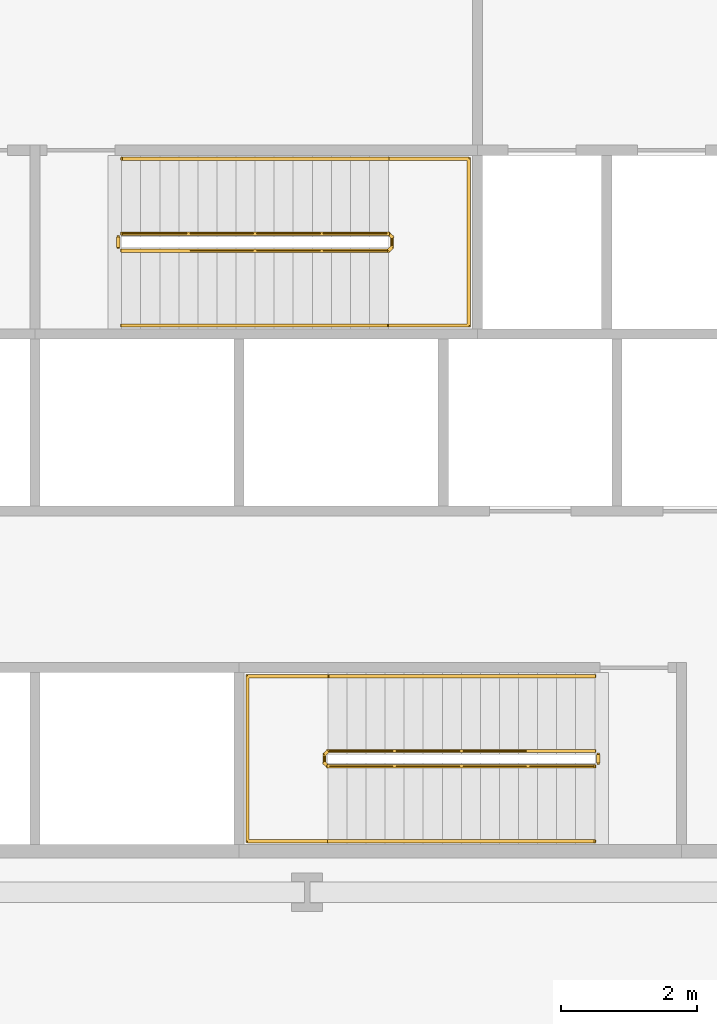
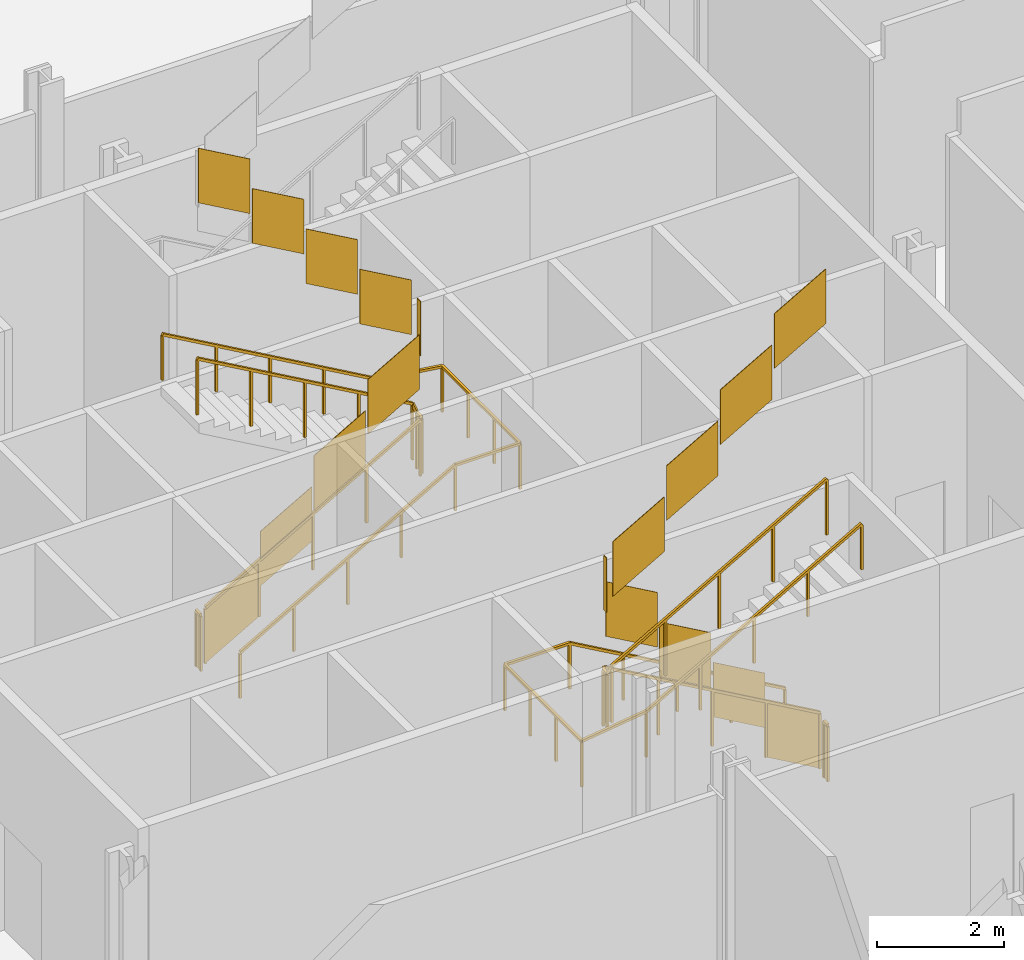
# One storey, part 21 of 25: 6 railings.
"""IFC4 building model written with IfcOpenShell, lengths in metres."""

from ifc_helpers import new_model, si_unit, direction, frame, origin, origin_2d, place, context, subcontext, project, spatial, polyline, rectangle, outline, extrude, material, type_object, element, save


model = new_model("IFC4")

# Units and contexts
model_context = context("Model", 3, precision=1e-05, world=origin(), true_north=direction((0.0, 1.0)))
body_context = subcontext(model_context, "Body", "Model", "MODEL_VIEW")
ifc_project = project(units=[si_unit("LENGTHUNIT", "METRE"), si_unit("AREAUNIT", "SQUARE_METRE"), si_unit("VOLUMEUNIT", "CUBIC_METRE"), si_unit("PLANEANGLEUNIT", "RADIAN"), si_unit("MASSUNIT", "GRAM", prefix="KILO")], contexts=[model_context])

# Site, building, storey
site_placement = place(None, origin())
site = spatial("IfcSite", under=ifc_project, at=site_placement, CompositionType="ELEMENT")
building_placement = place(site_placement, origin())
building = spatial("IfcBuilding", under=site, at=building_placement, Name="Cairn Pilgrim Tower", CompositionType="ELEMENT")
storey_placement = place(building_placement, frame((0.0, 0.0, 30.60009765625)))
storey = spatial("IfcBuildingStorey", under=building, at=storey_placement, Name="L05", CompositionType="ELEMENT", Elevation=30.60009765625)

# Railings
ifc_material = material(Name="Painted steel", Category="steel")
railing_type_1 = type_object("IfcRailingType", Name="STAIR GUARD 1100", PredefinedType="GUARDRAIL", material=ifc_material)
railing_1_placement = place(storey_placement, frame((11.425048828125, -3.925048828125, 0.159912109375)))
element("IfcRailing", 1, at=railing_1_placement, inside=storey, type_object=railing_type_1, Name="L05 ST-A stair guard 1", PredefinedType="GUARDRAIL", context=body_context, shape_type="SweptSolid", body=[
    extrude(rectangle(XDim=0.048095703125, YDim=0.048095703125, at=origin_2d()), frame((0.0, 0.0, 1.076171875), z_axis=(-0.86825312469, 0.0, 0.496121468458), x_axis=(0.0, -1.0, 0.0)), (0.0, 0.0, 1.0), 4.514892578125),
    extrude(rectangle(XDim=0.048095703125, YDim=0.048095703125, at=origin_2d()), frame((-3.920166015625, 0.0, 3.31591796875), z_axis=(-0.705375805398, -0.708833529934, 0.0), x_axis=(0.708833529934, -0.705375805398, 0.0)), (0.0, 0.0, 1.0), 0.070556640625),
    extrude(rectangle(XDim=0.048095703125, YDim=0.048095703125, at=origin_2d()), frame((-3.969970703125, -0.050048828125, 3.31591796875), z_axis=(0.0, -1.0, 0.0), x_axis=(1.0, 0.0, 0.0)), (0.0, 0.0, 1.0), 0.125),
    extrude(rectangle(XDim=0.048095703125, YDim=0.048095703125, at=origin_2d()), frame((-3.969970703125, -0.175048828125, 3.31591796875), z_axis=(0.285027140974, -0.285027140974, 0.915160673224), x_axis=(0.707106781187, 0.707106781187, 0.0)), (0.0, 0.0, 1.0), 0.1748046875),
    extrude(rectangle(XDim=0.048095703125, YDim=0.048095703125, at=origin_2d()), frame((-3.920166015625, -0.224853515625, 3.47607421875), z_axis=(0.86825312469, 0.0, 0.496121468458), x_axis=(0.0, 1.0, 0.0)), (0.0, 0.0, 1.0), 4.514892578125),
    extrude(rectangle(XDim=0.0419921875, YDim=0.0419921875, at=origin_2d()), origin(), (0.0, 0.0, 1.0), 1.052001953125),
    extrude(rectangle(XDim=0.0419921875, YDim=0.0419921875, at=origin_2d()), frame((-0.97998046875, 0.0, 0.56005859375)), (0.0, 0.0, 1.0), 1.052001953125),
    extrude(rectangle(XDim=0.0419921875, YDim=0.0419921875, at=origin_2d()), frame((-1.9599609375, 0.0, 1.1201171875)), (0.0, 0.0, 1.0), 1.052001953125),
    extrude(rectangle(XDim=0.0419921875, YDim=0.0419921875, at=origin_2d()), frame((-2.940185546875, 0.0, 1.679931640625)), (0.0, 0.0, 1.0), 1.052001953125),
    extrude(rectangle(XDim=0.0419921875, YDim=0.0419921875, at=origin_2d()), frame((-3.920166015625, 0.0, 2.239990234375)), (0.0, 0.0, 1.0), 1.052001953125),
    extrude(rectangle(XDim=0.0419921875, YDim=0.0419921875, at=origin_2d()), frame((-3.969970703125, -0.050048828125, 2.239990234375)), (0.0, 0.0, 1.0), 1.052001953125),
    extrude(rectangle(XDim=0.0419921875, YDim=0.0419921875, at=origin_2d()), frame((-3.969970703125, -0.175048828125, 2.239990234375)), (0.0, 0.0, 1.0), 1.052001953125),
    extrude(rectangle(XDim=0.0419921875, YDim=0.0419921875, at=origin_2d()), frame((-3.920166015625, -0.224853515625, 2.39990234375)), (0.0, 0.0, 1.0), 1.052001953125),
    extrude(rectangle(XDim=0.0419921875, YDim=0.0419921875, at=origin_2d()), frame((-2.940185546875, -0.224853515625, 2.9599609375)), (0.0, 0.0, 1.0), 1.052001953125),
    extrude(rectangle(XDim=0.0419921875, YDim=0.0419921875, at=origin_2d()), frame((-1.9599609375, -0.224853515625, 3.52001953125)), (0.0, 0.0, 1.0), 1.052001953125),
    extrude(rectangle(XDim=0.0419921875, YDim=0.0419921875, at=origin_2d()), frame((-0.97998046875, -0.224853515625, 4.079833984375)), (0.0, 0.0, 1.0), 1.052001953125),
    extrude(rectangle(XDim=0.0419921875, YDim=0.0419921875, at=origin_2d()), frame((0.0, -0.224853515625, 4.639892578125)), (0.0, 0.0, 1.0), 1.052001953125),
    extrude(outline(polyline([(0.02099609375, 0.011962890625), (0.958984375, 0.548095703125), (0.958984375, 1.60009765625), (0.02099609375, 1.06396484375), (0.02099609375, 0.011962890625)])), frame((0.0, -0.005859375, 0.0), z_axis=(0.0, 1.0, 0.0), x_axis=(-1.0, 0.0, 0.0)), (0.0, 0.0, 1.0), 0.011962890625),
    extrude(outline(polyline([(0.02099609375, 0.572021484375), (0.958984375, 1.10791015625), (0.958984375, 2.159912109375), (0.02099609375, 1.6240234375), (0.02099609375, 0.572021484375)])), frame((-0.97998046875, -0.005859375, 0.56005859375), z_axis=(0.0, 1.0, 0.0), x_axis=(-1.0, 0.0, 0.0)), (0.0, 0.0, 1.0), 0.011962890625),
    extrude(outline(polyline([(0.02099609375, 1.132080078125), (0.958984375, 1.66796875), (0.958984375, 2.719970703125), (0.02099609375, 2.18408203125), (0.02099609375, 1.132080078125)])), frame((-1.9599609375, -0.005859375, 1.1201171875), z_axis=(0.0, 1.0, 0.0), x_axis=(-1.0, 0.0, 0.0)), (0.0, 0.0, 1.0), 0.011962890625),
    extrude(outline(polyline([(0.02099609375, 1.69189453125), (0.958984375, 2.22802734375), (0.958984375, 3.280029296875), (0.02099609375, 2.743896484375), (0.02099609375, 1.69189453125)])), frame((-2.940185546875, -0.005859375, 1.679931640625), z_axis=(0.0, 1.0, 0.0), x_axis=(-1.0, 0.0, 0.0)), (0.0, 0.0, 1.0), 0.011962890625),
    extrude(outline(polyline([(0.02099609375, 2.239990234375), (0.10400390625, 2.239990234375), (0.10400390625, 3.2919921875), (0.02099609375, 3.2919921875), (0.02099609375, 2.239990234375)])), frame((-3.9638671875, -0.050048828125, 2.239990234375), z_axis=(-1.0, 0.0, 0.0), x_axis=(0.0, -1.0, 0.0)), (0.0, 0.0, 1.0), 0.011962890625),
    extrude(outline(polyline([(0.02099609375, 2.411865234375), (0.958984375, 2.947998046875), (0.958984375, 4.0), (0.02099609375, 3.4638671875), (0.02099609375, 2.411865234375)])), frame((-3.920166015625, -0.21875, 2.39990234375), z_axis=(0.0, -1.0, 0.0), x_axis=(1.0, 0.0, 0.0)), (0.0, 0.0, 1.0), 0.011962890625),
    extrude(outline(polyline([(0.02099609375, 2.971923828125), (0.958984375, 3.5078125), (0.958984375, 4.559814453125), (0.02099609375, 4.02392578125), (0.02099609375, 2.971923828125)])), frame((-2.940185546875, -0.21875, 2.9599609375), z_axis=(0.0, -1.0, 0.0), x_axis=(1.0, 0.0, 0.0)), (0.0, 0.0, 1.0), 0.011962890625),
    extrude(outline(polyline([(0.02099609375, 3.531982421875), (0.958984375, 4.06787109375), (0.958984375, 5.119873046875), (0.02099609375, 4.583984375), (0.02099609375, 3.531982421875)])), frame((-1.9599609375, -0.21875, 3.52001953125), z_axis=(0.0, -1.0, 0.0), x_axis=(1.0, 0.0, 0.0)), (0.0, 0.0, 1.0), 0.011962890625),
    extrude(outline(polyline([(0.02099609375, 4.091796875), (0.958984375, 4.6279296875), (0.958984375, 5.679931640625), (0.02099609375, 5.143798828125), (0.02099609375, 4.091796875)])), frame((-0.97998046875, -0.21875, 4.079833984375), z_axis=(0.0, -1.0, 0.0), x_axis=(1.0, 0.0, 0.0)), (0.0, 0.0, 1.0), 0.011962890625),
])
railing_2_placement = place(storey_placement, frame((11.47509765625, -3.97509765625, 0.0)))
element("IfcRailing", 2, at=railing_2_placement, inside=storey, type_object=railing_type_1, Name="L05 ST-A stair guard 2", PredefinedType="GUARDRAIL", context=body_context, shape_type="SweptSolid", body=[
    extrude(rectangle(XDim=0.048095703125, YDim=0.048095703125, at=origin_2d()), frame((0.0, 0.0, 1.076171875), z_axis=(0.0, -1.0, 0.0), x_axis=(1.0, 0.0, 0.0)), (0.0, 0.0, 1.0), 0.125),
    extrude(rectangle(XDim=0.0419921875, YDim=0.0419921875, at=origin_2d()), origin(), (0.0, 0.0, 1.0), 1.052001953125),
    extrude(rectangle(XDim=0.0419921875, YDim=0.0419921875, at=origin_2d()), frame((0.0, -0.125, 0.0)), (0.0, 0.0, 1.0), 1.052001953125),
    extrude(outline(polyline([(0.02099609375, 0.0), (0.10400390625, 0.0), (0.10400390625, 1.052001953125), (0.02099609375, 1.052001953125), (0.02099609375, 0.0)])), frame((0.005859375, 0.0, 0.0), z_axis=(-1.0, 0.0, 0.0), x_axis=(0.0, -1.0, 0.0)), (0.0, 0.0, 1.0), 0.011962890625),
])
railing_3_placement = place(storey_placement, frame((4.47509765625, 3.425048828125, 0.159912109375)))
element("IfcRailing", 3, at=railing_3_placement, inside=storey, type_object=railing_type_1, Name="L05 ST-B stair guard 1", PredefinedType="GUARDRAIL", context=body_context, shape_type="SweptSolid", body=[
    extrude(rectangle(XDim=0.048095703125, YDim=0.048095703125, at=origin_2d()), frame((0.0, 0.0, 1.076171875), z_axis=(0.868239814368, 0.0, 0.496144761885), x_axis=(0.0, 1.0, 0.0)), (0.0, 0.0, 1.0), 4.514892578125),
    extrude(rectangle(XDim=0.048095703125, YDim=0.048095703125, at=origin_2d()), frame((3.919921875, 0.0, 3.31591796875), z_axis=(0.707106781187, 0.707106781187, 0.0), x_axis=(-0.707106781187, 0.707106781187, 0.0)), (0.0, 0.0, 1.0), 0.07080078125),
    extrude(rectangle(XDim=0.048095703125, YDim=0.048095703125, at=origin_2d()), frame((3.969970703125, 0.050048828125, 3.31591796875), z_axis=(0.0, 1.0, 0.0), x_axis=(-1.0, 0.0, 0.0)), (0.0, 0.0, 1.0), 0.14990234375),
    extrude(rectangle(XDim=0.048095703125, YDim=0.048095703125, at=origin_2d()), frame((3.969970703125, 0.199951171875, 3.31591796875), z_axis=(-0.286195917343, 0.286195917343, 0.914430857852), x_axis=(-0.707106781187, -0.707106781187, 0.0)), (0.0, 0.0, 1.0), 0.1748046875),
    extrude(rectangle(XDim=0.048095703125, YDim=0.048095703125, at=origin_2d()), frame((3.919921875, 0.25, 3.47607421875), z_axis=(-0.868239814368, 0.0, 0.496144761885), x_axis=(0.0, -1.0, 0.0)), (0.0, 0.0, 1.0), 4.514892578125),
    extrude(rectangle(XDim=0.0419921875, YDim=0.0419921875, at=origin_2d()), origin(), (0.0, 0.0, 1.0), 1.052001953125),
    extrude(rectangle(XDim=0.0419921875, YDim=0.0419921875, at=origin_2d()), frame((0.97998046875, 0.0, 0.56005859375)), (0.0, 0.0, 1.0), 1.052001953125),
    extrude(rectangle(XDim=0.0419921875, YDim=0.0419921875, at=origin_2d()), frame((1.9599609375, 0.0, 1.1201171875)), (0.0, 0.0, 1.0), 1.052001953125),
    extrude(rectangle(XDim=0.0419921875, YDim=0.0419921875, at=origin_2d()), frame((2.93994140625, 0.0, 1.679931640625)), (0.0, 0.0, 1.0), 1.052001953125),
    extrude(rectangle(XDim=0.0419921875, YDim=0.0419921875, at=origin_2d()), frame((3.919921875, 0.0, 2.239990234375)), (0.0, 0.0, 1.0), 1.052001953125),
    extrude(rectangle(XDim=0.0419921875, YDim=0.0419921875, at=origin_2d()), frame((3.969970703125, 0.050048828125, 2.239990234375)), (0.0, 0.0, 1.0), 1.052001953125),
    extrude(rectangle(XDim=0.0419921875, YDim=0.0419921875, at=origin_2d()), frame((3.969970703125, 0.199951171875, 2.239990234375)), (0.0, 0.0, 1.0), 1.052001953125),
    extrude(rectangle(XDim=0.0419921875, YDim=0.0419921875, at=origin_2d()), frame((3.919921875, 0.25, 2.39990234375)), (0.0, 0.0, 1.0), 1.052001953125),
    extrude(rectangle(XDim=0.0419921875, YDim=0.0419921875, at=origin_2d()), frame((2.93994140625, 0.25, 2.9599609375)), (0.0, 0.0, 1.0), 1.052001953125),
    extrude(rectangle(XDim=0.0419921875, YDim=0.0419921875, at=origin_2d()), frame((1.9599609375, 0.25, 3.52001953125)), (0.0, 0.0, 1.0), 1.052001953125),
    extrude(rectangle(XDim=0.0419921875, YDim=0.0419921875, at=origin_2d()), frame((0.97998046875, 0.25, 4.079833984375)), (0.0, 0.0, 1.0), 1.052001953125),
    extrude(rectangle(XDim=0.0419921875, YDim=0.0419921875, at=origin_2d()), frame((0.0, 0.25, 4.639892578125)), (0.0, 0.0, 1.0), 1.052001953125),
    extrude(outline(polyline([(0.02099609375, 0.011962890625), (0.958984375, 0.548095703125), (0.958984375, 1.60009765625), (0.02099609375, 1.06396484375), (0.02099609375, 0.011962890625)])), frame((0.0, 0.005859375, 0.0), z_axis=(0.0, -1.0, 0.0), x_axis=(1.0, 0.0, 0.0)), (0.0, 0.0, 1.0), 0.011962890625),
    extrude(outline(polyline([(0.02099609375, 0.572021484375), (0.958984375, 1.10791015625), (0.958984375, 2.159912109375), (0.02099609375, 1.6240234375), (0.02099609375, 0.572021484375)])), frame((0.97998046875, 0.005859375, 0.56005859375), z_axis=(0.0, -1.0, 0.0), x_axis=(1.0, 0.0, 0.0)), (0.0, 0.0, 1.0), 0.011962890625),
    extrude(outline(polyline([(0.02099609375, 1.132080078125), (0.958984375, 1.66796875), (0.958984375, 2.719970703125), (0.02099609375, 2.18408203125), (0.02099609375, 1.132080078125)])), frame((1.9599609375, 0.005859375, 1.1201171875), z_axis=(0.0, -1.0, 0.0), x_axis=(1.0, 0.0, 0.0)), (0.0, 0.0, 1.0), 0.011962890625),
    extrude(outline(polyline([(0.02099609375, 1.69189453125), (0.958984375, 2.22802734375), (0.958984375, 3.280029296875), (0.02099609375, 2.743896484375), (0.02099609375, 1.69189453125)])), frame((2.93994140625, 0.005859375, 1.679931640625), z_axis=(0.0, -1.0, 0.0), x_axis=(1.0, 0.0, 0.0)), (0.0, 0.0, 1.0), 0.011962890625),
    extrude(outline(polyline([(0.02099609375, 2.239990234375), (0.12890625, 2.239990234375), (0.12890625, 3.2919921875), (0.02099609375, 3.2919921875), (0.02099609375, 2.239990234375)])), frame((3.9638671875, 0.050048828125, 2.239990234375), z_axis=(1.0, 0.0, 0.0), x_axis=(0.0, 1.0, 0.0)), (0.0, 0.0, 1.0), 0.011962890625),
    extrude(outline(polyline([(0.02099609375, 2.411865234375), (0.958984375, 2.947998046875), (0.958984375, 4.0), (0.02099609375, 3.4638671875), (0.02099609375, 2.411865234375)])), frame((3.919921875, 0.244140625, 2.39990234375), z_axis=(0.0, 1.0, 0.0), x_axis=(-1.0, 0.0, 0.0)), (0.0, 0.0, 1.0), 0.011962890625),
    extrude(outline(polyline([(0.02099609375, 2.971923828125), (0.958984375, 3.5078125), (0.958984375, 4.559814453125), (0.02099609375, 4.02392578125), (0.02099609375, 2.971923828125)])), frame((2.93994140625, 0.244140625, 2.9599609375), z_axis=(0.0, 1.0, 0.0), x_axis=(-1.0, 0.0, 0.0)), (0.0, 0.0, 1.0), 0.011962890625),
    extrude(outline(polyline([(0.02099609375, 3.531982421875), (0.958984375, 4.06787109375), (0.958984375, 5.119873046875), (0.02099609375, 4.583984375), (0.02099609375, 3.531982421875)])), frame((1.9599609375, 0.244140625, 3.52001953125), z_axis=(0.0, 1.0, 0.0), x_axis=(-1.0, 0.0, 0.0)), (0.0, 0.0, 1.0), 0.011962890625),
    extrude(outline(polyline([(0.02099609375, 4.091796875), (0.958984375, 4.6279296875), (0.958984375, 5.679931640625), (0.02099609375, 5.143798828125), (0.02099609375, 4.091796875)])), frame((0.97998046875, 0.244140625, 4.079833984375), z_axis=(0.0, 1.0, 0.0), x_axis=(-1.0, 0.0, 0.0)), (0.0, 0.0, 1.0), 0.011962890625),
])
railing_4_placement = place(storey_placement, frame((4.425048828125, 3.47509765625, 0.0)))
element("IfcRailing", 4, at=railing_4_placement, inside=storey, type_object=railing_type_1, Name="L05 ST-B stair guard 2", PredefinedType="GUARDRAIL", context=body_context, shape_type="SweptSolid", body=[
    extrude(rectangle(XDim=0.048095703125, YDim=0.048095703125, at=origin_2d()), frame((0.0, 0.0, 1.076171875), z_axis=(0.0, 1.0, 0.0), x_axis=(-1.0, 0.0, 0.0)), (0.0, 0.0, 1.0), 0.14990234375),
    extrude(rectangle(XDim=0.0419921875, YDim=0.0419921875, at=origin_2d()), origin(), (0.0, 0.0, 1.0), 1.052001953125),
    extrude(rectangle(XDim=0.0419921875, YDim=0.0419921875, at=origin_2d()), frame((0.0, 0.14990234375, 0.0)), (0.0, 0.0, 1.0), 1.052001953125),
    extrude(outline(polyline([(0.02099609375, 0.0), (0.12890625, 0.0), (0.12890625, 1.052001953125), (0.02099609375, 1.052001953125), (0.02099609375, 0.0)])), frame((-0.005859375, 0.0, 0.0), z_axis=(1.0, 0.0, 0.0), x_axis=(0.0, 1.0, 0.0)), (0.0, 0.0, 1.0), 0.011962890625),
])
railing_type_2 = type_object("IfcRailingType", Name="STAIR HANDRAIL 900", PredefinedType="HANDRAIL", material=ifc_material)
railing_5_placement = place(storey_placement, frame((11.425048828125, -2.824951171875, 0.159912109375)))
element("IfcRailing", 5, at=railing_5_placement, inside=storey, type_object=railing_type_2, Name="L05 ST-A stair handrail 1", PredefinedType="HANDRAIL", context=body_context, shape_type="SweptSolid", body=[
    extrude(rectangle(XDim=0.048095703125, YDim=0.048095703125, at=origin_2d()), frame((0.0, 0.0, 0.8759765625), z_axis=(-0.86825312469, 0.0, 0.496121468458), x_axis=(0.0, -1.0, 0.0)), (0.0, 0.0, 1.0), 4.514892578125),
    extrude(rectangle(XDim=0.048095703125, YDim=0.048095703125, at=origin_2d()), frame((-3.920166015625, 0.0, 3.11572265625), z_axis=(-1.0, 0.0, 0.0), x_axis=(0.0, -1.0, 0.0)), (0.0, 0.0, 1.0), 1.179931640625),
    extrude(rectangle(XDim=0.048095703125, YDim=0.048095703125, at=origin_2d()), frame((-5.10009765625, 0.0, 3.11572265625), z_axis=(0.0, -1.0, 0.0), x_axis=(1.0, 0.0, 0.0)), (0.0, 0.0, 1.0), 2.425048828125),
    extrude(rectangle(XDim=0.048095703125, YDim=0.048095703125, at=origin_2d()), frame((-5.10009765625, -2.425048828125, 3.11572265625), z_axis=(0.990940877464, 0.0, 0.134298836073), x_axis=(0.0, 1.0, 0.0)), (0.0, 0.0, 1.0), 1.190673828125),
    extrude(rectangle(XDim=0.048095703125, YDim=0.048095703125, at=origin_2d()), frame((-3.920166015625, -2.425048828125, 3.27587890625), z_axis=(0.86825312469, 0.0, 0.496121468458), x_axis=(0.0, 1.0, 0.0)), (0.0, 0.0, 1.0), 4.514892578125),
    extrude(rectangle(XDim=0.0419921875, YDim=0.0419921875, at=origin_2d()), origin(), (0.0, 0.0, 1.0), 0.851806640625),
    extrude(rectangle(XDim=0.0419921875, YDim=0.0419921875, at=origin_2d()), frame((-0.97998046875, 0.0, 0.56005859375)), (0.0, 0.0, 1.0), 0.851806640625),
    extrude(rectangle(XDim=0.0419921875, YDim=0.0419921875, at=origin_2d()), frame((-1.9599609375, 0.0, 1.1201171875)), (0.0, 0.0, 1.0), 0.851806640625),
    extrude(rectangle(XDim=0.0419921875, YDim=0.0419921875, at=origin_2d()), frame((-2.940185546875, 0.0, 1.679931640625)), (0.0, 0.0, 1.0), 0.851806640625),
    extrude(rectangle(XDim=0.0419921875, YDim=0.0419921875, at=origin_2d()), frame((-3.920166015625, 0.0, 2.239990234375)), (0.0, 0.0, 1.0), 0.851806640625),
    extrude(rectangle(XDim=0.0419921875, YDim=0.0419921875, at=origin_2d()), frame((-5.10009765625, 0.0, 2.239990234375)), (0.0, 0.0, 1.0), 0.851806640625),
    extrude(rectangle(XDim=0.0419921875, YDim=0.0419921875, at=origin_2d()), frame((-5.10009765625, -0.808349609375, 2.239990234375)), (0.0, 0.0, 1.0), 0.851806640625),
    extrude(rectangle(XDim=0.0419921875, YDim=0.0419921875, at=origin_2d()), frame((-5.10009765625, -1.61669921875, 2.239990234375)), (0.0, 0.0, 1.0), 0.851806640625),
    extrude(rectangle(XDim=0.0419921875, YDim=0.0419921875, at=origin_2d()), frame((-5.10009765625, -2.425048828125, 2.239990234375)), (0.0, 0.0, 1.0), 0.851806640625),
    extrude(rectangle(XDim=0.0419921875, YDim=0.0419921875, at=origin_2d()), frame((-3.920166015625, -2.425048828125, 2.39990234375)), (0.0, 0.0, 1.0), 0.851806640625),
    extrude(rectangle(XDim=0.0419921875, YDim=0.0419921875, at=origin_2d()), frame((-2.940185546875, -2.425048828125, 2.9599609375)), (0.0, 0.0, 1.0), 0.851806640625),
    extrude(rectangle(XDim=0.0419921875, YDim=0.0419921875, at=origin_2d()), frame((-1.9599609375, -2.425048828125, 3.52001953125)), (0.0, 0.0, 1.0), 0.851806640625),
    extrude(rectangle(XDim=0.0419921875, YDim=0.0419921875, at=origin_2d()), frame((-0.97998046875, -2.425048828125, 4.079833984375)), (0.0, 0.0, 1.0), 0.851806640625),
    extrude(rectangle(XDim=0.0419921875, YDim=0.0419921875, at=origin_2d()), frame((0.0, -2.425048828125, 4.639892578125)), (0.0, 0.0, 1.0), 0.851806640625),
])
railing_6_placement = place(storey_placement, frame((4.47509765625, 2.324951171875, 0.159912109375)))
element("IfcRailing", 6, at=railing_6_placement, inside=storey, type_object=railing_type_2, Name="L05 ST-B stair handrail 1", PredefinedType="HANDRAIL", context=body_context, shape_type="SweptSolid", body=[
    extrude(rectangle(XDim=0.048095703125, YDim=0.048095703125, at=origin_2d()), frame((0.0, 0.0, 0.8759765625), z_axis=(0.868239814368, 0.0, 0.496144761885), x_axis=(0.0, 1.0, 0.0)), (0.0, 0.0, 1.0), 4.514892578125),
    extrude(rectangle(XDim=0.048095703125, YDim=0.048095703125, at=origin_2d()), frame((3.919921875, 0.0, 3.11572265625), z_axis=(1.0, 0.0, 0.0), x_axis=(0.0, 1.0, 0.0)), (0.0, 0.0, 1.0), 1.179931640625),
    extrude(rectangle(XDim=0.048095703125, YDim=0.048095703125, at=origin_2d()), frame((5.099853515625, 0.0, 3.11572265625), z_axis=(0.0, 1.0, 0.0), x_axis=(-1.0, 0.0, 0.0)), (0.0, 0.0, 1.0), 2.449951171875),
    extrude(rectangle(XDim=0.048095703125, YDim=0.048095703125, at=origin_2d()), frame((5.099853515625, 2.449951171875, 3.11572265625), z_axis=(-0.990940877464, 0.0, 0.134298836073), x_axis=(0.0, -1.0, 0.0)), (0.0, 0.0, 1.0), 1.190673828125),
    extrude(rectangle(XDim=0.048095703125, YDim=0.048095703125, at=origin_2d()), frame((3.919921875, 2.449951171875, 3.27587890625), z_axis=(-0.868239814368, 0.0, 0.496144761885), x_axis=(0.0, -1.0, 0.0)), (0.0, 0.0, 1.0), 4.514892578125),
    extrude(rectangle(XDim=0.0419921875, YDim=0.0419921875, at=origin_2d()), origin(), (0.0, 0.0, 1.0), 0.851806640625),
    extrude(rectangle(XDim=0.0419921875, YDim=0.0419921875, at=origin_2d()), frame((0.97998046875, 0.0, 0.56005859375)), (0.0, 0.0, 1.0), 0.851806640625),
    extrude(rectangle(XDim=0.0419921875, YDim=0.0419921875, at=origin_2d()), frame((1.9599609375, 0.0, 1.1201171875)), (0.0, 0.0, 1.0), 0.851806640625),
    extrude(rectangle(XDim=0.0419921875, YDim=0.0419921875, at=origin_2d()), frame((2.93994140625, 0.0, 1.679931640625)), (0.0, 0.0, 1.0), 0.851806640625),
    extrude(rectangle(XDim=0.0419921875, YDim=0.0419921875, at=origin_2d()), frame((3.919921875, 0.0, 2.239990234375)), (0.0, 0.0, 1.0), 0.851806640625),
    extrude(rectangle(XDim=0.0419921875, YDim=0.0419921875, at=origin_2d()), frame((5.099853515625, 0.0, 2.239990234375)), (0.0, 0.0, 1.0), 0.851806640625),
    extrude(rectangle(XDim=0.0419921875, YDim=0.0419921875, at=origin_2d()), frame((5.099853515625, 0.816650390625, 2.239990234375)), (0.0, 0.0, 1.0), 0.851806640625),
    extrude(rectangle(XDim=0.0419921875, YDim=0.0419921875, at=origin_2d()), frame((5.099853515625, 1.63330078125, 2.239990234375)), (0.0, 0.0, 1.0), 0.851806640625),
    extrude(rectangle(XDim=0.0419921875, YDim=0.0419921875, at=origin_2d()), frame((5.099853515625, 2.449951171875, 2.239990234375)), (0.0, 0.0, 1.0), 0.851806640625),
    extrude(rectangle(XDim=0.0419921875, YDim=0.0419921875, at=origin_2d()), frame((3.919921875, 2.449951171875, 2.39990234375)), (0.0, 0.0, 1.0), 0.851806640625),
    extrude(rectangle(XDim=0.0419921875, YDim=0.0419921875, at=origin_2d()), frame((2.93994140625, 2.449951171875, 2.9599609375)), (0.0, 0.0, 1.0), 0.851806640625),
    extrude(rectangle(XDim=0.0419921875, YDim=0.0419921875, at=origin_2d()), frame((1.9599609375, 2.449951171875, 3.52001953125)), (0.0, 0.0, 1.0), 0.851806640625),
    extrude(rectangle(XDim=0.0419921875, YDim=0.0419921875, at=origin_2d()), frame((0.97998046875, 2.449951171875, 4.079833984375)), (0.0, 0.0, 1.0), 0.851806640625),
    extrude(rectangle(XDim=0.0419921875, YDim=0.0419921875, at=origin_2d()), frame((0.0, 2.449951171875, 4.639892578125)), (0.0, 0.0, 1.0), 0.851806640625),
])

save(model, "model.ifc")
